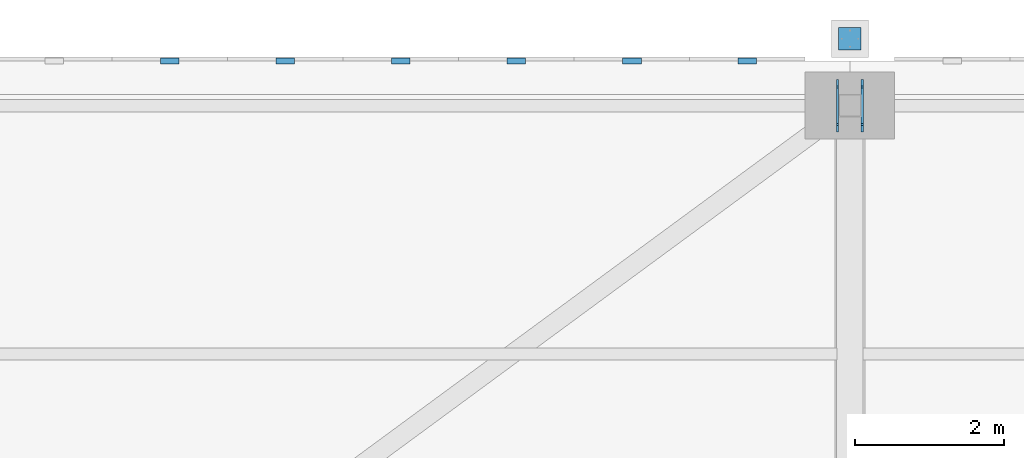
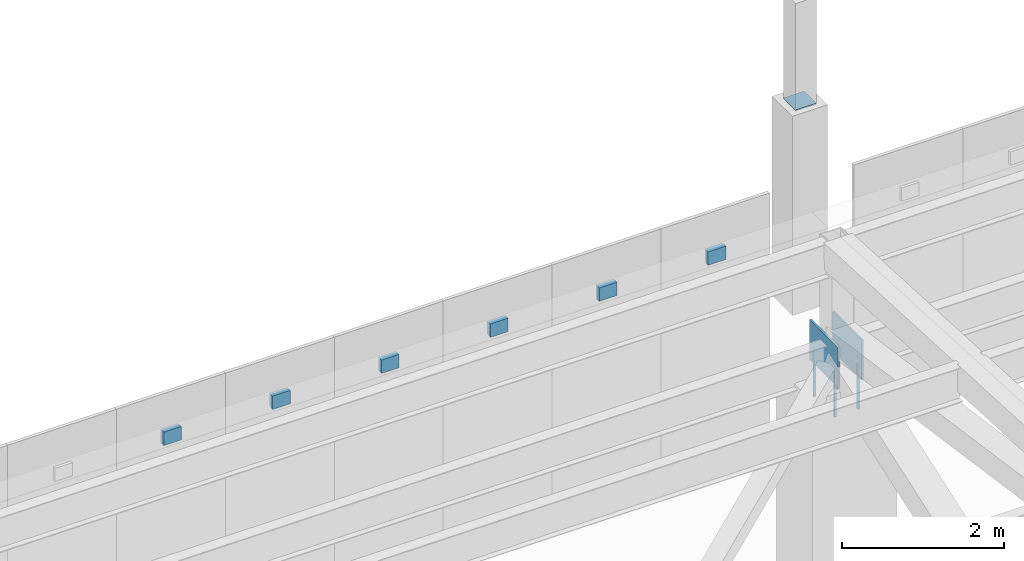
# One storey, part 242 of 278: 9 discrete accessories, 4 mechanical fasteners.
"""IFC4 building model written with IfcOpenShell, lengths in metres."""

from ifc_helpers import new_model, si_unit, direction, frame, origin, origin_2d, place, context, subcontext, project, spatial, rectangle, extrude, material, layer, layer_set, type_object, element, save


model = new_model("IFC4")

# Units and contexts
model_context = context("Model", 3, precision=1e-05, world=origin(), true_north=direction((0.0, 1.0)))
body_context = subcontext(model_context, "Body", "Model", "MODEL_VIEW")
ifc_project = project(units=[si_unit("LENGTHUNIT", "METRE"), si_unit("AREAUNIT", "SQUARE_METRE"), si_unit("VOLUMEUNIT", "CUBIC_METRE"), si_unit("PLANEANGLEUNIT", "RADIAN"), si_unit("MASSUNIT", "GRAM", prefix="KILO")], contexts=[model_context])

# Site, building, storey
site_placement = place(None, origin())
site = spatial("IfcSite", under=ifc_project, at=site_placement, CompositionType="ELEMENT")
building_placement = place(site_placement, origin())
building = spatial("IfcBuilding", under=site, at=building_placement, Name="Ogive Plaza Stadium", CompositionType="ELEMENT")
storey_placement = place(building_placement, frame((0.0, 0.0, 29.0)))
storey = spatial("IfcBuildingStorey", under=building, at=storey_placement, Name="Roof", CompositionType="ELEMENT", Elevation=29.0)

# Mechanical fasteners
ifc_material_1 = material(Name="Steel ASTM A992 Grade 50", Category="steel")
mechanical_fastener_type = type_object("IfcMechanicalFastenerType", Name="Anchor bolt M30 x 600", PredefinedType="ANCHORBOLT", material=ifc_material_1)
for number, where, z_axis, x_axis, name in (
    (1, (20.233642578125, 102.75244140625, 3.0), (0.0, 0.0, 1.0), (0.0, 1.0, 0.0), "ANCHOR BOLT 36 BF 1.1"),
    (2, (20.233642578125, 102.24755859375, 3.0), (0.0, 0.0, 1.0), (0.0, 1.0, 0.0), "ANCHOR BOLT 36 BF 1.2"),
    (3, (20.56640625, 102.75244140625, 3.0), (0.0, 0.0, 1.0), (0.0, 1.0, 0.0), "ANCHOR BOLT 36 BF 2.1"),
    (4, (20.56640625, 102.24755859375, 3.0), (0.0, 0.0, 1.0), (0.0, 1.0, 0.0), "ANCHOR BOLT 36 BF 2.2"),
):
    element("IfcMechanicalFastener", number, at=place(storey_placement, frame(where, z_axis=z_axis, x_axis=x_axis)), inside=storey, type_object=mechanical_fastener_type, Name=name, PredefinedType="ANCHORBOLT", context=body_context, shape_type="SweptSolid", body=[
        extrude(rectangle(XDim=0.030029296875, YDim=0.030029296875, at=origin_2d()), origin(), (0.0, 0.0, 1.0), 0.679931640625),
    ])

# Discrete accessories
ifc_material_2 = material(Name="Steel ASTM A992 Grade 50", Category="steel")
ifc_layer_1 = layer(ifc_material_2, 0.02001953125)
ifc_layer_set_1 = layer_set([ifc_layer_1], Name="Steel ASTM A992 Grade 50")
discrete_accessory_type_1 = type_object("IfcDiscreteAccessoryType", Name="Spire seat plate 20", PredefinedType="ANCHORPLATE", material=ifc_layer_set_1)
discrete_accessory_placement = place(storey_placement, frame((20.39990234375, 103.39990234375, 6.98095703125), z_axis=(0.0, 0.0, 1.0), x_axis=(0.0, 1.0, 0.0)))
element("IfcDiscreteAccessory", 5, at=discrete_accessory_placement, inside=storey, type_object=discrete_accessory_type_1, Name="SPIRE SEAT PLATE 36", PredefinedType="ANCHORPLATE", context=body_context, shape_type="SweptSolid", body=[
    extrude(rectangle(XDim=0.300048828125, YDim=0.300048828125, at=origin_2d()), origin(), (0.0, 0.0, 1.0), 0.02001953125),
])
ifc_material_3 = material(Name="Steel ASTM A572 Grade 50", Category="steel")
ifc_layer_2 = layer(ifc_material_3, 0.080078125)
ifc_layer_set_2 = layer_set([ifc_layer_2], Name="Steel ASTM A572 Grade 50")
discrete_accessory_type_2 = type_object("IfcDiscreteAccessoryType", Name="Tracery screen bracket 250x200", PredefinedType="BRACKET", material=ifc_layer_set_2)
for number, where, z_axis, x_axis, name in (
    (6, (11.27490234375, 103.102294921875, 5.25), (0.0, 0.0, 1.0), (1.0, 0.0, 0.0), "TRACERY SCREEN BRACKET B35 3"),
    (7, (12.824951171875, 103.102294921875, 5.25), (0.0, 0.0, 1.0), (1.0, 0.0, 0.0), "TRACERY SCREEN BRACKET B35 4"),
    (8, (14.375, 103.102294921875, 5.25), (0.0, 0.0, 1.0), (1.0, 0.0, 0.0), "TRACERY SCREEN BRACKET B35 5"),
    (9, (15.925048828125, 103.102294921875, 5.25), (0.0, 0.0, 1.0), (1.0, 0.0, 0.0), "TRACERY SCREEN BRACKET B35 6"),
    (10, (17.47509765625, 103.102294921875, 5.25), (0.0, 0.0, 1.0), (1.0, 0.0, 0.0), "TRACERY SCREEN BRACKET B35 7"),
    (11, (19.02490234375, 103.102294921875, 5.25), (0.0, 0.0, 1.0), (1.0, 0.0, 0.0), "TRACERY SCREEN BRACKET B35 8"),
):
    element("IfcDiscreteAccessory", number, at=place(storey_placement, frame(where, z_axis=z_axis, x_axis=x_axis)), inside=storey, type_object=discrete_accessory_type_2, Name=name, PredefinedType="BRACKET", context=body_context, shape_type="SweptSolid", body=[
        extrude(rectangle(XDim=0.25, YDim=0.080078125, at=origin_2d()), origin(), (0.0, 0.0, 1.0), 0.199951171875),
    ])
ifc_material_4 = material(Name="Steel ASTM A992 Grade 50", Category="steel")
ifc_layer_3 = layer(ifc_material_4, 0.030029296875)
ifc_layer_set_3 = layer_set([ifc_layer_3], Name="Steel ASTM A992 Grade 50")
discrete_accessory_type_3 = type_object("IfcDiscreteAccessoryType", Name="Truss back-stay foot cleat plate 30", PredefinedType="ANCHORPLATE", material=ifc_layer_set_3)
for number, where, z_axis, x_axis, name in (
    (12, (20.233642578125, 102.5, 3.5), (0.0, 0.0, 1.0), (0.0, 1.0, 0.0), "TRUSS BACK-STAY FOOT CLEAT PLATE 36 1"),
    (13, (20.56640625, 102.5, 3.5), (0.0, 0.0, 1.0), (0.0, 1.0, 0.0), "TRUSS BACK-STAY FOOT CLEAT PLATE 36 2"),
):
    element("IfcDiscreteAccessory", number, at=place(storey_placement, frame(where, z_axis=z_axis, x_axis=x_axis)), inside=storey, type_object=discrete_accessory_type_3, Name=name, PredefinedType="ANCHORPLATE", context=body_context, shape_type="SweptSolid", body=[
        extrude(rectangle(XDim=0.704833984375, YDim=0.030029296875, at=origin_2d()), origin(), (0.0, 0.0, 1.0), 0.60009765625),
    ])

save(model, "model.ifc")
